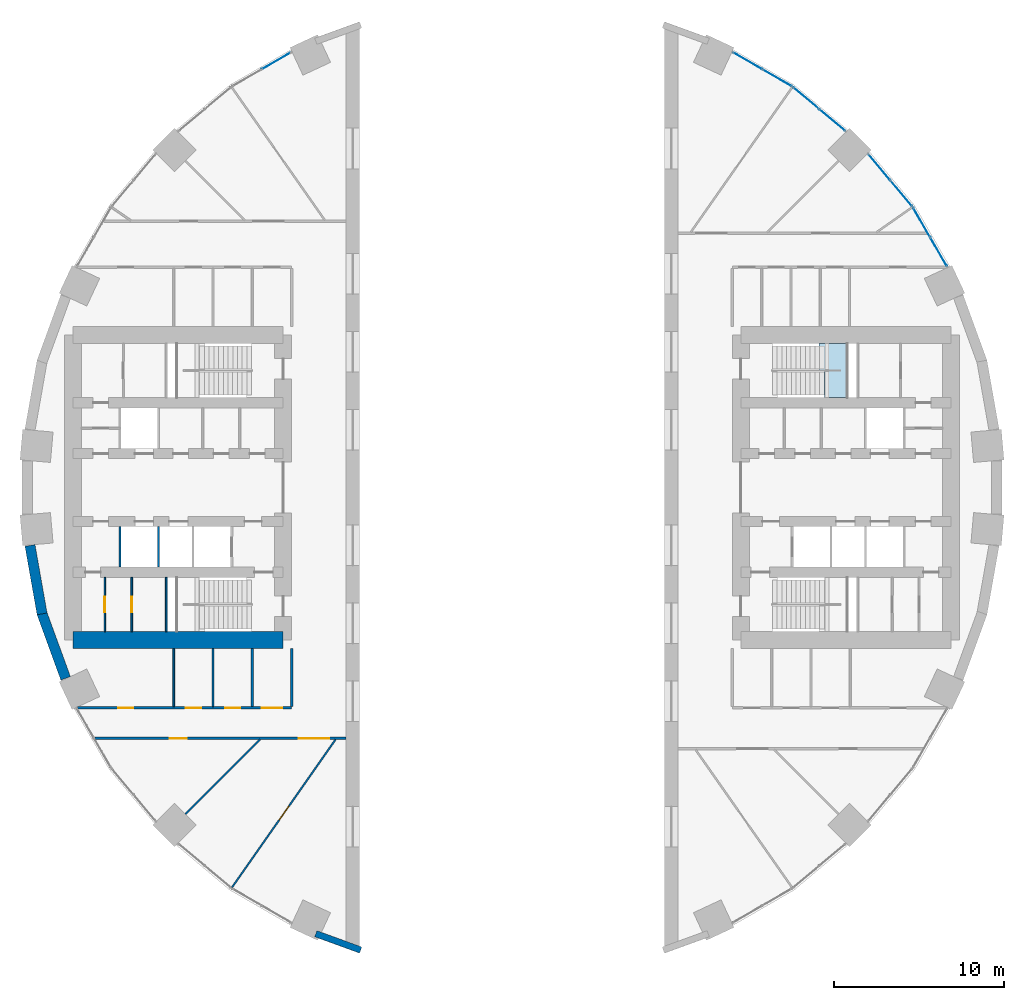
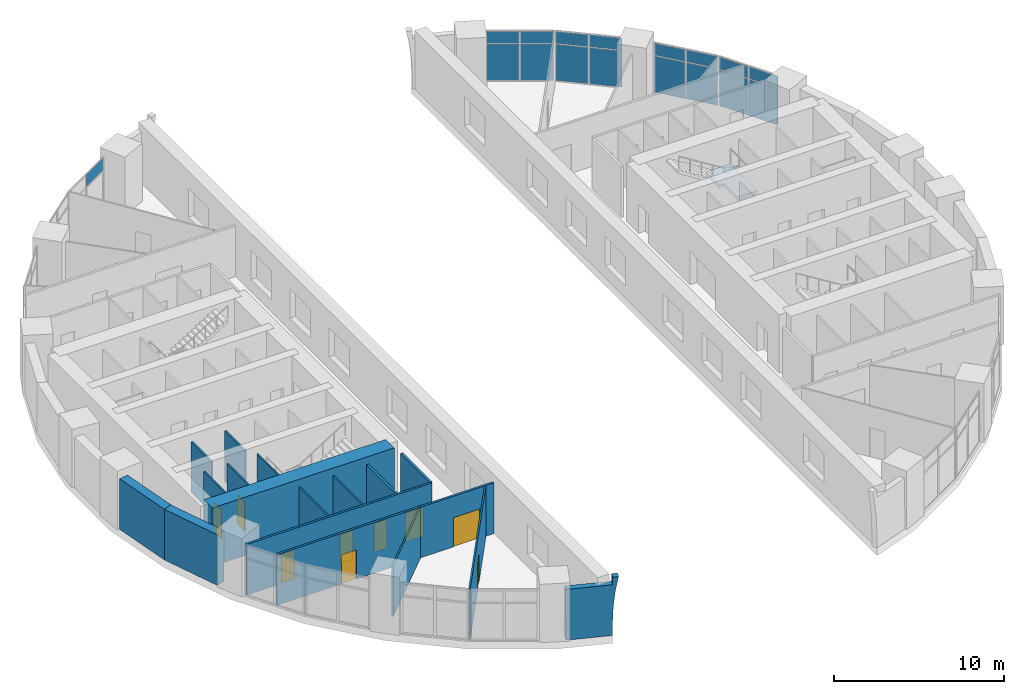
# One storey, part 7 of 13: 17 plates, 17 walls, 9 doors, 1 slab, 9 openings, 6 elements without a shape of their own.
"""IFC4 building model written with IfcOpenShell, lengths in metres."""

from ifc_helpers import new_model, si_unit, direction, frame, frame_2d, origin, origin_2d, place, context, subcontext, project, spatial, polyline, rectangle, outline, extrude, material, layer, layer_set, type_object, element, fill, aggregate, save


model = new_model("IFC4")

# Units and contexts
model_context = context("Model", 3, precision=1e-05, world=origin(), true_north=direction((0.0, 1.0)))
body_context = subcontext(model_context, "Body", "Model", "MODEL_VIEW")
ifc_project = project(units=[si_unit("LENGTHUNIT", "METRE"), si_unit("AREAUNIT", "SQUARE_METRE"), si_unit("VOLUMEUNIT", "CUBIC_METRE"), si_unit("PLANEANGLEUNIT", "RADIAN"), si_unit("MASSUNIT", "GRAM", prefix="KILO")], contexts=[model_context])

# Site, building, storey
site_placement = place(None, origin())
site = spatial("IfcSite", under=ifc_project, at=site_placement, CompositionType="ELEMENT")
building_placement = place(site_placement, origin())
building = spatial("IfcBuilding", under=site, at=building_placement, Name="Saqina Gate Tower", CompositionType="ELEMENT")
storey_placement = place(building_placement, frame((0.0, 0.0, 5.0)))
storey = spatial("IfcBuildingStorey", under=building, at=storey_placement, Name="L01", CompositionType="ELEMENT", Elevation=5.0)

# Curtain wall, plates
ifc_material_1 = material(Name="Aluminium glazing", Category="aluminium")
ifc_layer_1 = layer(ifc_material_1, 0.159912109375)
ifc_layer_set_1 = layer_set([ifc_layer_1], Name="CWT-1")
curtain_wall_type = type_object("IfcCurtainWallType", Name="CWT-1", PredefinedType="NOTDEFINED", material=ifc_layer_set_1)
curtain_wall_1_placement = place(storey_placement, origin())
curtain_wall_1 = element("IfcCurtainWall", 1, at=curtain_wall_1_placement, inside=storey, type_object=curtain_wall_type, Name="Podium shopfront facet 3", PredefinedType="NOTDEFINED")
ifc_material_2 = material(Name="Glass", Category="glass")
ifc_layer_2 = layer(ifc_material_2, 0.028076171875)
ifc_layer_set_2 = layer_set([ifc_layer_2], Name="CWT-1P")
plate_type = type_object("IfcPlateType", Name="CWT-1P", PredefinedType="CURTAIN_PANEL", material=ifc_layer_set_2)
plate_1_placement = place(storey_placement, frame((25.158935546875, 13.90283203125, 0.06005859375), z_axis=(0.0, 0.0, 1.0), x_axis=(-0.500013894893, 0.866017381415, 0.0)))
plate_1 = element("IfcPlate", 2, at=plate_1_placement, type_object=plate_type, Name="CW1-03 panel 1.1", PredefinedType="CURTAIN_PANEL", context=body_context, shape_type="SweptSolid", body=[
    extrude(rectangle(XDim=1.944580078125, YDim=0.028076171875, at=origin_2d()), origin(), (0.0, 0.0, 1.0), 2.610107421875),
])
plate_2_placement = place(storey_placement, frame((25.158935546875, 13.90283203125, 2.72998046875), z_axis=(0.0, 0.0, 1.0), x_axis=(-0.500013894893, 0.866017381415, 0.0)))
plate_2 = element("IfcPlate", 3, at=plate_2_placement, type_object=plate_type, Name="CW1-03 panel 1.2", PredefinedType="CURTAIN_PANEL", context=body_context, shape_type="SweptSolid", body=[
    extrude(rectangle(XDim=1.944580078125, YDim=0.028076171875, at=origin_2d()), origin(), (0.0, 0.0, 1.0), 0.860107421875),
])
plate_3_placement = place(storey_placement, frame((24.15673828125, 15.638671875, 0.06005859375), z_axis=(0.0, 0.0, 1.0), x_axis=(-0.500013894893, 0.866017381415, 0.0)))
plate_3 = element("IfcPlate", 4, at=plate_3_placement, type_object=plate_type, Name="CW1-03 panel 2.1", PredefinedType="CURTAIN_PANEL", context=body_context, shape_type="SweptSolid", body=[
    extrude(rectangle(XDim=1.944580078125, YDim=0.028076171875, at=origin_2d()), origin(), (0.0, 0.0, 1.0), 2.610107421875),
])
plate_4_placement = place(storey_placement, frame((24.15673828125, 15.638671875, 2.72998046875), z_axis=(0.0, 0.0, 1.0), x_axis=(-0.500013894893, 0.866017381415, 0.0)))
plate_4 = element("IfcPlate", 5, at=plate_4_placement, type_object=plate_type, Name="CW1-03 panel 2.2", PredefinedType="CURTAIN_PANEL", context=body_context, shape_type="SweptSolid", body=[
    extrude(rectangle(XDim=1.944580078125, YDim=0.028076171875, at=origin_2d()), origin(), (0.0, 0.0, 1.0), 0.860107421875),
])
aggregate(curtain_wall_1, [plate_1, plate_2, plate_3, plate_4])

curtain_wall_2_placement = place(storey_placement, origin())
curtain_wall_2 = element("IfcCurtainWall", 6, at=curtain_wall_2_placement, inside=storey, type_object=curtain_wall_type, Name="Podium shopfront facet 4", PredefinedType="NOTDEFINED")
plate_5_placement = place(storey_placement, frame((22.957763671875, 17.35107421875, 0.06005859375), z_axis=(0.0, 0.0, 1.0), x_axis=(-0.642779322911, 0.766051396473, 0.0)))
plate_5 = element("IfcPlate", 7, at=plate_5_placement, type_object=plate_type, Name="CW1-04 panel 1.1", PredefinedType="CURTAIN_PANEL", context=body_context, shape_type="SweptSolid", body=[
    extrude(rectangle(XDim=1.944580078125, YDim=0.028076171875, at=origin_2d()), origin(), (0.0, 0.0, 1.0), 2.610107421875),
])
plate_6_placement = place(storey_placement, frame((22.957763671875, 17.35107421875, 2.72998046875), z_axis=(0.0, 0.0, 1.0), x_axis=(-0.642779322911, 0.766051396473, 0.0)))
plate_6 = element("IfcPlate", 8, at=plate_6_placement, type_object=plate_type, Name="CW1-04 panel 1.2", PredefinedType="CURTAIN_PANEL", context=body_context, shape_type="SweptSolid", body=[
    extrude(rectangle(XDim=1.944580078125, YDim=0.028076171875, at=origin_2d()), origin(), (0.0, 0.0, 1.0), 0.860107421875),
])
plate_7_placement = place(storey_placement, frame((21.669189453125, 18.88671875, 0.06005859375), z_axis=(0.0, 0.0, 1.0), x_axis=(-0.642779322911, 0.766051396473, 0.0)))
plate_7 = element("IfcPlate", 9, at=plate_7_placement, type_object=plate_type, Name="CW1-04 panel 2.1", PredefinedType="CURTAIN_PANEL", context=body_context, shape_type="SweptSolid", body=[
    extrude(rectangle(XDim=1.944580078125, YDim=0.028076171875, at=origin_2d()), origin(), (0.0, 0.0, 1.0), 2.610107421875),
])
plate_8_placement = place(storey_placement, frame((21.669189453125, 18.88671875, 2.72998046875), z_axis=(0.0, 0.0, 1.0), x_axis=(-0.642779322911, 0.766051396473, 0.0)))
plate_8 = element("IfcPlate", 10, at=plate_8_placement, type_object=plate_type, Name="CW1-04 panel 2.2", PredefinedType="CURTAIN_PANEL", context=body_context, shape_type="SweptSolid", body=[
    extrude(rectangle(XDim=1.944580078125, YDim=0.028076171875, at=origin_2d()), origin(), (0.0, 0.0, 1.0), 0.860107421875),
])
aggregate(curtain_wall_2, [plate_5, plate_6, plate_7, plate_8])

curtain_wall_3_placement = place(storey_placement, origin())
curtain_wall_3 = element("IfcCurtainWall", 11, at=curtain_wall_3_placement, inside=storey, type_object=curtain_wall_type, Name="Podium shopfront facet 5", PredefinedType="NOTDEFINED")
plate_9_placement = place(storey_placement, frame((18.88671875, 21.669189453125, 0.06005859375), z_axis=(0.0, 0.0, 1.0), x_axis=(-0.766051396473, 0.642779322911, 0.0)))
plate_9 = element("IfcPlate", 12, at=plate_9_placement, type_object=plate_type, Name="CW1-05 panel 1.1", PredefinedType="CURTAIN_PANEL", context=body_context, shape_type="SweptSolid", body=[
    extrude(rectangle(XDim=1.944580078125, YDim=0.028076171875, at=origin_2d()), origin(), (0.0, 0.0, 1.0), 2.610107421875),
])
plate_10_placement = place(storey_placement, frame((18.88671875, 21.669189453125, 2.72998046875), z_axis=(0.0, 0.0, 1.0), x_axis=(-0.766051396473, 0.642779322911, 0.0)))
plate_10 = element("IfcPlate", 13, at=plate_10_placement, type_object=plate_type, Name="CW1-05 panel 1.2", PredefinedType="CURTAIN_PANEL", context=body_context, shape_type="SweptSolid", body=[
    extrude(rectangle(XDim=1.944580078125, YDim=0.028076171875, at=origin_2d()), origin(), (0.0, 0.0, 1.0), 0.860107421875),
])
plate_11_placement = place(storey_placement, frame((17.35107421875, 22.957763671875, 0.06005859375), z_axis=(0.0, 0.0, 1.0), x_axis=(-0.766051396473, 0.642779322911, 0.0)))
plate_11 = element("IfcPlate", 14, at=plate_11_placement, type_object=plate_type, Name="CW1-05 panel 2.1", PredefinedType="CURTAIN_PANEL", context=body_context, shape_type="SweptSolid", body=[
    extrude(rectangle(XDim=1.944580078125, YDim=0.028076171875, at=origin_2d()), origin(), (0.0, 0.0, 1.0), 2.610107421875),
])
plate_12_placement = place(storey_placement, frame((17.35107421875, 22.957763671875, 2.72998046875), z_axis=(0.0, 0.0, 1.0), x_axis=(-0.766051396473, 0.642779322911, 0.0)))
plate_12 = element("IfcPlate", 15, at=plate_12_placement, type_object=plate_type, Name="CW1-05 panel 2.2", PredefinedType="CURTAIN_PANEL", context=body_context, shape_type="SweptSolid", body=[
    extrude(rectangle(XDim=1.944580078125, YDim=0.028076171875, at=origin_2d()), origin(), (0.0, 0.0, 1.0), 0.860107421875),
])
aggregate(curtain_wall_3, [plate_9, plate_10, plate_11, plate_12])

curtain_wall_4_placement = place(storey_placement, origin())
curtain_wall_4 = element("IfcCurtainWall", 16, at=curtain_wall_4_placement, inside=storey, type_object=curtain_wall_type, Name="Podium shopfront facet 6", PredefinedType="NOTDEFINED")
plate_13_placement = place(storey_placement, frame((15.638671875, 24.15673828125, 0.06005859375), z_axis=(0.0, 0.0, 1.0), x_axis=(-0.866017381415, 0.500013894893, 0.0)))
plate_13 = element("IfcPlate", 17, at=plate_13_placement, type_object=plate_type, Name="CW1-06 panel 1.1", PredefinedType="CURTAIN_PANEL", context=body_context, shape_type="SweptSolid", body=[
    extrude(rectangle(XDim=1.944580078125, YDim=0.028076171875, at=origin_2d()), origin(), (0.0, 0.0, 1.0), 2.610107421875),
])
plate_14_placement = place(storey_placement, frame((15.638671875, 24.15673828125, 2.72998046875), z_axis=(0.0, 0.0, 1.0), x_axis=(-0.866017381415, 0.500013894893, 0.0)))
plate_14 = element("IfcPlate", 18, at=plate_14_placement, type_object=plate_type, Name="CW1-06 panel 1.2", PredefinedType="CURTAIN_PANEL", context=body_context, shape_type="SweptSolid", body=[
    extrude(rectangle(XDim=1.944580078125, YDim=0.028076171875, at=origin_2d()), origin(), (0.0, 0.0, 1.0), 0.860107421875),
])
plate_15_placement = place(storey_placement, frame((13.90283203125, 25.158935546875, 0.06005859375), z_axis=(0.0, 0.0, 1.0), x_axis=(-0.866017381415, 0.500013894893, 0.0)))
plate_15 = element("IfcPlate", 19, at=plate_15_placement, type_object=plate_type, Name="CW1-06 panel 2.1", PredefinedType="CURTAIN_PANEL", context=body_context, shape_type="SweptSolid", body=[
    extrude(rectangle(XDim=1.944580078125, YDim=0.028076171875, at=origin_2d()), origin(), (0.0, 0.0, 1.0), 2.610107421875),
])
plate_16_placement = place(storey_placement, frame((13.90283203125, 25.158935546875, 2.72998046875), z_axis=(0.0, 0.0, 1.0), x_axis=(-0.866017381415, 0.500013894893, 0.0)))
plate_16 = element("IfcPlate", 20, at=plate_16_placement, type_object=plate_type, Name="CW1-06 panel 2.2", PredefinedType="CURTAIN_PANEL", context=body_context, shape_type="SweptSolid", body=[
    extrude(rectangle(XDim=1.944580078125, YDim=0.028076171875, at=origin_2d()), origin(), (0.0, 0.0, 1.0), 0.860107421875),
])
aggregate(curtain_wall_4, [plate_13, plate_14, plate_15, plate_16])

# Curtain wall, plate
curtain_wall_5_placement = place(storey_placement, origin())
curtain_wall_5 = element("IfcCurtainWall", 21, at=curtain_wall_5_placement, inside=storey, type_object=curtain_wall_type, Name="Podium shopfront facet 12", PredefinedType="NOTDEFINED")
plate_17_placement = place(storey_placement, frame((-13.90283203125, 25.158935546875, 2.72998046875), z_axis=(0.0, 0.0, 1.0), x_axis=(-0.866017381415, -0.500013894893, 0.0)))
plate_17 = element("IfcPlate", 22, at=plate_17_placement, type_object=plate_type, Name="CW1-12 panel 1.2", PredefinedType="CURTAIN_PANEL", context=body_context, shape_type="SweptSolid", body=[
    extrude(rectangle(XDim=1.944580078125, YDim=0.028076171875, at=origin_2d()), origin(), (0.0, 0.0, 1.0), 0.860107421875),
])
aggregate(curtain_wall_5, [plate_17])

# Stair, slab
ifc_material_3 = material(Name="Concrete C40/50", Category="concrete")
stair_type = type_object("IfcStairType", Name="EXIT STAIR", PredefinedType="HALF_TURN_STAIR", material=ifc_material_3)
stair_placement = place(storey_placement, origin())
stair = element("IfcStair", 23, at=stair_placement, inside=storey, type_object=stair_type, Name="EXIT STAIR 1", PredefinedType="HALF_TURN_STAIR")
ifc_material_4 = material(Name="Concrete C40/50", Category="concrete")
ifc_layer_3 = layer(ifc_material_4, 0.25)
ifc_layer_set_3 = layer_set([ifc_layer_3], Name="Concrete C40/50")
slab_type = type_object("IfcSlabType", Name="EXIT STAIR LANDING", PredefinedType="LANDING", material=ifc_layer_set_3)
slab_placement = place(storey_placement, frame((0.0, 0.0, 1.85009765625)))
slab = element("IfcSlab", 24, at=slab_placement, type_object=slab_type, Name="EXIT STAIR 1 LANDING 1", PredefinedType="LANDING", context=body_context, shape_type="SweptSolid", body=[
    extrude(outline(polyline([(19.780029296875, 8.5), (19.780029296875, 5.300048828125), (18.425048828125, 5.300048828125), (18.425048828125, 6.89990234375), (18.10693359375, 6.89990234375), (18.10693359375, 8.5), (18.425048828125, 8.5), (18.429931640625, 8.5), (19.780029296875, 8.5)])), origin(), (0.0, 0.0, 1.0), 0.25),
])
aggregate(stair, [slab])

# Wall, opening, door
ifc_material_5 = material(Name="Gypsum board on steel studs", Category="steel")
ifc_layer_4 = layer(ifc_material_5, 0.10009765625)
ifc_layer_set_4 = layer_set([ifc_layer_4], Name="CORE PARTITION")
wall_type_1 = type_object("IfcWallType", Name="CORE PARTITION", PredefinedType="PARTITIONING", material=ifc_layer_set_4)
wall_1_placement = place(storey_placement, frame((-22.424072265625, -8.5, 0.0), z_axis=(0.0, 0.0, 1.0), x_axis=(0.0, 1.0, 0.0)))
wall_1 = element("IfcWall", 25, at=wall_1_placement, inside=storey, type_object=wall_type_1, Name="L01-CP-W13", PredefinedType="PARTITIONING", context=body_context, shape_type="SweptSolid", body=[
    extrude(rectangle(XDim=3.199951171875, YDim=0.10009765625, at=frame_2d((1.60009765625, 0.0))), origin(), (0.0, 0.0, 1.0), 3.64990234375),
])
opening_1_placement = place(wall_1_placement, frame((1.14990234375, 0.0, 0.0)))
opening_1 = element("IfcOpeningElement", 26, at=opening_1_placement, cuts=wall_1, Name="Opening L01-D116", PredefinedType="OPENING", context=body_context, shape_type="SweptSolid", body=[
    extrude(rectangle(XDim=0.89990234375, YDim=2.10009765625, at=frame_2d((0.449951171875, 1.050048828125))), frame((0.0, 0.06201171875, 0.0), z_axis=(0.0, -1.0, 0.0), x_axis=(1.0, 0.0, 0.0)), (0.0, 0.0, 1.0), 0.1240234375),
])
ifc_material_6 = material(Name="Steel-framed fire door leaf, EI 60", Category="steel")
door_type_1 = type_object("IfcDoorType", Name="SERVICE ROOM DOOR 900", OperationType="SINGLE_SWING_LEFT", PredefinedType="DOOR", material=ifc_material_6)
door_1_placement = place(opening_1_placement, frame((0.89990234375, 0.0, 0.0), z_axis=(0.0, 0.0, 1.0), x_axis=(-1.0, 0.0, 0.0)))
door_1 = element("IfcDoor", 27, at=door_1_placement, inside=storey, type_object=door_type_1, Name="L01-CD-W27", OperationType="SINGLE_SWING_RIGHT", OverallHeight=2.10009765625, OverallWidth=0.89990234375, PredefinedType="DOOR", context=body_context, shape_type="SweptSolid", body=[
    extrude(rectangle(XDim=0.89990234375, YDim=2.10009765625, at=frame_2d((0.449951171875, 1.050048828125))), frame((0.0, 0.02490234375, 0.0), z_axis=(0.0, -1.0, 0.0), x_axis=(1.0, 0.0, 0.0)), (0.0, 0.0, 1.0), 0.050048828125),
])
fill(opening_1, door_1)

wall_2_placement = place(storey_placement, frame((-24.01123046875, -8.5, 0.0), z_axis=(0.0, 0.0, 1.0), x_axis=(0.0, 1.0, 0.0)))
wall_2 = element("IfcWall", 28, at=wall_2_placement, inside=storey, type_object=wall_type_1, Name="L01-CP-W14", PredefinedType="PARTITIONING", context=body_context, shape_type="SweptSolid", body=[
    extrude(rectangle(XDim=3.199951171875, YDim=0.10009765625, at=frame_2d((1.60009765625, 0.0))), origin(), (0.0, 0.0, 1.0), 3.64990234375),
])
opening_2_placement = place(wall_2_placement, frame((1.14990234375, 0.0, 0.0)))
opening_2 = element("IfcOpeningElement", 29, at=opening_2_placement, cuts=wall_2, Name="Opening L01-D115", PredefinedType="OPENING", context=body_context, shape_type="SweptSolid", body=[
    extrude(rectangle(XDim=0.89990234375, YDim=2.10009765625, at=frame_2d((0.449951171875, 1.050048828125))), frame((0.0, 0.06201171875, 0.0), z_axis=(0.0, -1.0, 0.0), x_axis=(1.0, 0.0, 0.0)), (0.0, 0.0, 1.0), 0.1240234375),
])
door_2_placement = place(opening_2_placement, frame((0.89990234375, 0.0, 0.0), z_axis=(0.0, 0.0, 1.0), x_axis=(-1.0, 0.0, 0.0)))
door_2 = element("IfcDoor", 30, at=door_2_placement, inside=storey, type_object=door_type_1, Name="L01-CD-W26", OperationType="SINGLE_SWING_RIGHT", OverallHeight=2.10009765625, OverallWidth=0.89990234375, PredefinedType="DOOR", context=body_context, shape_type="SweptSolid", body=[
    extrude(rectangle(XDim=0.89990234375, YDim=2.10009765625, at=frame_2d((0.449951171875, 1.050048828125))), frame((0.0, 0.02490234375, 0.0), z_axis=(0.0, -1.0, 0.0), x_axis=(1.0, 0.0, 0.0)), (0.0, 0.0, 1.0), 0.050048828125),
])
fill(opening_2, door_2)

# Walls
ifc_material_7 = material(Name="Glazed ceramic tile", Category="ceramic")
ifc_layer_5 = layer(ifc_material_7, 0.3798828125)
ifc_layer_set_5 = layer_set([ifc_layer_5], Name="FW-ARCH")
wall_type_2 = type_object("IfcWallType", Name="FW-ARCH", PredefinedType="SOLIDWALL", material=ifc_layer_set_5)
wall_3_placement = place(storey_placement, frame((-11.63720703125, -26.49755859375, 0.0), z_axis=(-0.342010332624, -0.939694078188, 0.001992936543), x_axis=(0.000670333127, 0.001876857341, 0.999998014028)))
element("IfcWall", 31, at=wall_3_placement, inside=storey, type_object=wall_type_2, Name="Arch frame wall L01 facet 25", PredefinedType="SOLIDWALL", context=body_context, shape_type="SweptSolid", body=[
    extrude(outline(polyline([(0.0, 0.0), (3.6499095617812474, -2.507217523872729e-19), (3.6498761175937697, -2.8100358094732503), (4.199926013516814, -2.8101672489599907), (4.199921767770513, -3.1707662556981404), (3.190644361514802, -2.9769599197016303), (2.098114383691035, -2.851734808217352), (0.9999682683270763, -2.810151568441391), (-3.344418747762033e-05, -2.8100358094732503), (0.0, 0.0)])), origin(), (0.0, 0.0, -1.0), 0.3798828125),
])
ifc_material_8 = material(Name="Glazed ceramic tile", Category="ceramic")
ifc_layer_6 = layer(ifc_material_8, 0.60009765625)
ifc_layer_set_6 = layer_set([ifc_layer_6], Name="FW-TILE")
wall_type_3 = type_object("IfcWallType", Name="FW-TILE", PredefinedType="SOLIDWALL", material=ifc_layer_set_6)
wall_4_placement = place(storey_placement, frame((-27.72998046875, -7.403076171875, 0.0), z_axis=(0.0, 0.0, 1.0), x_axis=(0.342034744565, -0.939687306241, 0.0)))
element("IfcWall", 32, at=wall_4_placement, inside=storey, type_object=wall_type_3, Name="Facade wall L01 facet 20", PredefinedType="SOLIDWALL", context=body_context, shape_type="SweptSolid", body=[
    extrude(rectangle(XDim=4.099365234375, YDim=0.60009765625, at=frame_2d((2.0498046875, 0.0))), origin(), (0.0, 0.0, 1.0), 3.64990234375),
])
ifc_material_9 = material(Name="Glazed ceramic tile (white)", Category="ceramic")
ifc_layer_7 = layer(ifc_material_9, 0.60009765625)
ifc_layer_set_7 = layer_set([ifc_layer_7], Name="FW-TILE-WH")
wall_type_4 = type_object("IfcWallType", Name="FW-TILE-WH", PredefinedType="SOLIDWALL", material=ifc_layer_set_7)
wall_5_placement = place(storey_placement, frame((-28.42822265625, -3.416748046875, 0.0), z_axis=(0.0, 0.0, 1.0), x_axis=(0.173673210505, -0.984803338719, 0.0)))
element("IfcWall", 33, at=wall_5_placement, inside=storey, type_object=wall_type_4, Name="Facade wall L01 facet 19", PredefinedType="SOLIDWALL", context=body_context, shape_type="SweptSolid", body=[
    extrude(rectangle(XDim=4.09912109375, YDim=0.60009765625, at=frame_2d((2.049560546875, 0.0))), origin(), (0.0, 0.0, 1.0), 3.64990234375),
])
ifc_material_10 = material(Name="Autoclaved aerated concrete block", Category="concrete")
ifc_layer_8 = layer(ifc_material_10, 0.1201171875)
ifc_layer_set_8 = layer_set([ifc_layer_8], Name="SHAFT PARTITION")
wall_type_5 = type_object("IfcWallType", Name="SHAFT PARTITION", PredefinedType="PARTITIONING", material=ifc_layer_set_8)
for number, where, z_axis, x_axis, name in (
    (34, (-20.840087890625, -4.699951171875, 0.0), (0.0, 0.0, 1.0), (0.0, 1.0, 0.0), "L01-CP-W07"),
    (35, (-23.1201171875, -4.699951171875, 0.0), (0.0, 0.0, 1.0), (0.0, 1.0, 0.0), "L01-CP-W08"),
):
    element("IfcWall", number, at=place(storey_placement, frame(where, z_axis=z_axis, x_axis=x_axis)), inside=storey, type_object=wall_type_5, Name=name, PredefinedType="PARTITIONING", context=body_context, shape_type="SweptSolid", body=[
        extrude(rectangle(XDim=2.39990234375, YDim=0.1201171875, at=frame_2d((1.199951171875, 0.0))), origin(), (0.0, 0.0, 1.0), 3.64990234375),
    ])
ifc_material_11 = material(Name="Gypsum board on steel studs, 100 mm", Category="steel")
ifc_layer_9 = layer(ifc_material_11, 0.10009765625)
ifc_layer_set_9 = layer_set([ifc_layer_9], Name="SPECIAL PARTITION 100")
wall_type_6 = type_object("IfcWallType", Name="SPECIAL PARTITION 100", PredefinedType="PARTITIONING", material=ifc_layer_set_9)
wall_6_placement = place(storey_placement, frame((-19.26171875, -19.26171875, 0.0), z_axis=(0.0, 0.0, 1.0), x_axis=(0.707106781187, 0.707106781187, 0.0)))
element("IfcWall", 36, at=wall_6_placement, inside=storey, type_object=wall_type_6, Name="PARTITION 015", PredefinedType="PARTITIONING", context=body_context, shape_type="SweptSolid", body=[
    extrude(rectangle(XDim=6.23486328125, YDim=0.10009765625, at=frame_2d((3.117431640625, 0.0))), origin(), (0.0, 0.0, 1.0), 3.64990234375),
])

# Wall, opening, door
wall_7_placement = place(storey_placement, frame((-16.51904296875, -23.591064453125, 0.0), z_axis=(0.0, 0.0, 1.0), x_axis=(0.573602246075, 0.81913397152, 0.0)))
wall_7 = element("IfcWall", 37, at=wall_7_placement, inside=storey, type_object=wall_type_6, Name="PARTITION 017", PredefinedType="PARTITIONING", context=body_context, shape_type="SweptSolid", body=[
    extrude(rectangle(XDim=10.6572265625, YDim=0.10009765625, at=frame_2d((5.32861328125, 0.0))), origin(), (0.0, 0.0, 1.0), 3.64990234375),
])
opening_3_placement = place(wall_7_placement, frame((4.8662109375, 0.0, 0.0)))
opening_3 = element("IfcOpeningElement", 38, at=opening_3_placement, cuts=wall_7, Name="Opening L01-D22", PredefinedType="OPENING", context=body_context, shape_type="SweptSolid", body=[
    extrude(rectangle(XDim=1.0, YDim=2.10009765625, at=frame_2d((0.5, 1.050048828125))), frame((0.0, 0.06201171875, 0.0), z_axis=(0.0, -1.0, 0.0), x_axis=(1.0, 0.0, 0.0)), (0.0, 0.0, 1.0), 0.1240234375),
])
ifc_material_12 = material(Name="Timber door leaf", Category="wood")
door_type_2 = type_object("IfcDoorType", Name="SPECIAL DOOR 1000 TIMBER", OperationType="SINGLE_SWING_LEFT", PredefinedType="DOOR", material=ifc_material_12)
door_3_placement = place(opening_3_placement, frame((1.0, 0.0, 0.0), z_axis=(0.0, 0.0, 1.0), x_axis=(-1.0, 0.0, 0.0)))
door_3 = element("IfcDoor", 39, at=door_3_placement, inside=storey, type_object=door_type_2, Name="DOOR L01-D22", OperationType="SINGLE_SWING_LEFT", OverallHeight=2.10009765625, OverallWidth=1.0, PredefinedType="DOOR", context=body_context, shape_type="SweptSolid", body=[
    extrude(rectangle(XDim=1.0, YDim=2.10009765625, at=frame_2d((0.5, 1.050048828125))), frame((0.0, 0.02490234375, 0.0), z_axis=(0.0, -1.0, 0.0), x_axis=(1.0, 0.0, 0.0)), (0.0, 0.0, 1.0), 0.050048828125),
])
fill(opening_3, door_3)

# Walls
for number, where, z_axis, x_axis, name in (
    (40, (-17.633056640625, -12.925048828125, 0.0), (0.0, 0.0, 1.0), (0.0, 1.0, 0.0), "PARTITION 032"),
    (41, (-19.949951171875, -12.925048828125, 0.0), (0.0, 0.0, 1.0), (0.0, 1.0, 0.0), "PARTITION 034"),
):
    element("IfcWall", number, at=place(storey_placement, frame(where, z_axis=z_axis, x_axis=x_axis)), inside=storey, type_object=wall_type_6, Name=name, PredefinedType="PARTITIONING", context=body_context, shape_type="SweptSolid", body=[
        extrude(rectangle(XDim=3.425048828125, YDim=0.10009765625, at=frame_2d((1.71240234375, 0.0))), origin(), (0.0, 0.0, 1.0), 3.64990234375),
    ])

# Wall, openings, doors
ifc_material_13 = material(Name="Gypsum board on steel studs, 150 mm, fire rated", Category="steel")
ifc_layer_10 = layer(ifc_material_13, 0.14990234375)
ifc_layer_set_10 = layer_set([ifc_layer_10], Name="SPECIAL PARTITION EI 30 150")
wall_type_7 = type_object("IfcWallType", Name="SPECIAL PARTITION EI 30 150", PredefinedType="PARTITIONING", material=ifc_layer_set_10)
wall_8_placement = place(storey_placement, frame((-24.5830078125, -14.800048828125, 0.0), z_axis=(0.0, 0.0, 1.0), x_axis=(1.0, 0.0, 0.0)))
wall_8 = element("IfcWall", 42, at=wall_8_placement, inside=storey, type_object=wall_type_7, Name="PARTITION 007", PredefinedType="PARTITIONING", context=body_context, shape_type="SweptSolid", body=[
    extrude(rectangle(XDim=14.782958984375, YDim=0.14990234375, at=frame_2d((7.3916015625, 0.0))), origin(), (0.0, 0.0, 1.0), 3.64990234375),
])
opening_4_placement = place(wall_8_placement, frame((4.390380859375, 0.0, 0.0)))
opening_4 = element("IfcOpeningElement", 43, at=opening_4_placement, cuts=wall_8, Name="Opening L01-D18", PredefinedType="OPENING", context=body_context, shape_type="SweptSolid", body=[
    extrude(rectangle(XDim=1.0, YDim=2.10009765625, at=frame_2d((0.5, 1.050048828125))), frame((0.0, 0.0869140625, 0.0), z_axis=(0.0, -1.0, 0.0), x_axis=(1.0, 0.0, 0.0)), (0.0, 0.0, 1.0), 0.173828125),
])
opening_5_placement = place(wall_8_placement, frame((11.99951171875, 0.0, 0.0)))
opening_5 = element("IfcOpeningElement", 44, at=opening_5_placement, cuts=wall_8, Name="Opening L01-D21", PredefinedType="OPENING", context=body_context, shape_type="SweptSolid", body=[
    extrude(rectangle(XDim=1.800048828125, YDim=2.10009765625, at=frame_2d((0.89990234375, 1.050048828125))), frame((0.0, 0.0869140625, 0.0), z_axis=(0.0, -1.0, 0.0), x_axis=(1.0, 0.0, 0.0)), (0.0, 0.0, 1.0), 0.173828125),
])
ifc_material_14 = material(Name="Steel-framed fire door leaf, EI 30", Category="steel")
door_type_3 = type_object("IfcDoorType", Name="SPECIAL DOOR 1000 FIRE EI 30", OperationType="SINGLE_SWING_LEFT", PredefinedType="DOOR", material=ifc_material_14)
door_4_placement = place(opening_4_placement, frame((1.0, 0.0, 0.0), z_axis=(0.0, 0.0, 1.0), x_axis=(-1.0, 0.0, 0.0)))
door_4 = element("IfcDoor", 45, at=door_4_placement, inside=storey, type_object=door_type_3, Name="DOOR L01-D18", OperationType="SINGLE_SWING_RIGHT", OverallHeight=2.10009765625, OverallWidth=1.0, PredefinedType="DOOR", context=body_context, shape_type="SweptSolid", body=[
    extrude(rectangle(XDim=1.0, YDim=2.10009765625, at=frame_2d((0.5, 1.050048828125))), frame((0.0, 0.02490234375, 0.0), z_axis=(0.0, -1.0, 0.0), x_axis=(1.0, 0.0, 0.0)), (0.0, 0.0, 1.0), 0.050048828125),
])
fill(opening_4, door_4)
ifc_material_15 = material(Name="Steel-framed fire door leaf, EI 30", Category="steel")
door_type_4 = type_object("IfcDoorType", Name="SPECIAL DOUBLE DOOR 1800 FIRE EI 30", OperationType="DOUBLE_DOOR_SINGLE_SWING", PredefinedType="DOOR", material=ifc_material_15)
door_5_placement = place(opening_5_placement, origin())
door_5 = element("IfcDoor", 46, at=door_5_placement, inside=storey, type_object=door_type_4, Name="DOOR L01-D21", OperationType="DOUBLE_DOOR_SINGLE_SWING", OverallHeight=2.10009765625, OverallWidth=1.800048828125, PredefinedType="DOOR", context=body_context, shape_type="SweptSolid", body=[
    extrude(rectangle(XDim=1.800048828125, YDim=2.10009765625, at=frame_2d((0.89990234375, 1.050048828125))), frame((0.0, 0.02490234375, 0.0), z_axis=(0.0, -1.0, 0.0), x_axis=(1.0, 0.0, 0.0)), (0.0, 0.0, 1.0), 0.050048828125),
])
fill(opening_5, door_5)

ifc_material_16 = material(Name="Masonry block and plaster, 150 mm, fire rated", Category="masonry")
ifc_layer_11 = layer(ifc_material_16, 0.14990234375)
ifc_layer_set_11 = layer_set([ifc_layer_11], Name="SPECIAL PARTITION EI 60 150")
wall_type_8 = type_object("IfcWallType", Name="SPECIAL PARTITION EI 60 150", PredefinedType="PARTITIONING", material=ifc_layer_set_11)
wall_9_placement = place(storey_placement, frame((-25.6220703125, -13.0, 0.0), z_axis=(0.0, 0.0, 1.0), x_axis=(1.0, 0.0, 0.0)))
wall_9 = element("IfcWall", 47, at=wall_9_placement, inside=storey, type_object=wall_type_8, Name="PARTITION 008", PredefinedType="PARTITIONING", context=body_context, shape_type="SweptSolid", body=[
    extrude(rectangle(XDim=12.6220703125, YDim=0.14990234375, at=frame_2d((6.31103515625, 0.0))), origin(), (0.0, 0.0, 1.0), 3.64990234375),
])
opening_6_placement = place(wall_9_placement, frame((2.385986328125, 0.0, 0.0)))
opening_6 = element("IfcOpeningElement", 48, at=opening_6_placement, cuts=wall_9, Name="Opening L01-D16", PredefinedType="OPENING", context=body_context, shape_type="SweptSolid", body=[
    extrude(rectangle(XDim=0.89990234375, YDim=2.10009765625, at=frame_2d((0.449951171875, 1.050048828125))), frame((0.0, 0.0869140625, 0.0), z_axis=(0.0, -1.0, 0.0), x_axis=(1.0, 0.0, 0.0)), (0.0, 0.0, 1.0), 0.173828125),
])
opening_7_placement = place(wall_9_placement, frame((6.380615234375, 0.0, 0.0)))
opening_7 = element("IfcOpeningElement", 49, at=opening_7_placement, cuts=wall_9, Name="Opening L01-D17", PredefinedType="OPENING", context=body_context, shape_type="SweptSolid", body=[
    extrude(rectangle(XDim=0.89990234375, YDim=2.10009765625, at=frame_2d((0.449951171875, 1.050048828125))), frame((0.0, 0.0869140625, 0.0), z_axis=(0.0, -1.0, 0.0), x_axis=(1.0, 0.0, 0.0)), (0.0, 0.0, 1.0), 0.173828125),
])
opening_8_placement = place(wall_9_placement, frame((8.697021484375, 0.0, 0.0)))
opening_8 = element("IfcOpeningElement", 50, at=opening_8_placement, cuts=wall_9, Name="Opening L01-D19", PredefinedType="OPENING", context=body_context, shape_type="SweptSolid", body=[
    extrude(rectangle(XDim=0.89990234375, YDim=2.10009765625, at=frame_2d((0.449951171875, 1.050048828125))), frame((0.0, 0.0869140625, 0.0), z_axis=(0.0, -1.0, 0.0), x_axis=(1.0, 0.0, 0.0)), (0.0, 0.0, 1.0), 0.173828125),
])
opening_9_placement = place(wall_9_placement, frame((10.863525390625, 0.0, 0.0)))
opening_9 = element("IfcOpeningElement", 51, at=opening_9_placement, cuts=wall_9, Name="Opening L01-D20", PredefinedType="OPENING", context=body_context, shape_type="SweptSolid", body=[
    extrude(rectangle(XDim=1.199951171875, YDim=2.10009765625, at=frame_2d((0.60009765625, 1.050048828125))), frame((0.0, 0.0869140625, 0.0), z_axis=(0.0, -1.0, 0.0), x_axis=(1.0, 0.0, 0.0)), (0.0, 0.0, 1.0), 0.173828125),
])
ifc_material_17 = material(Name="Steel-framed fire door leaf, EI 60", Category="steel")
door_type_5 = type_object("IfcDoorType", Name="SPECIAL DOOR 1200 FIRE EI 60", OperationType="SINGLE_SWING_LEFT", PredefinedType="DOOR", material=ifc_material_17)
door_6_placement = place(opening_9_placement, origin())
door_6 = element("IfcDoor", 52, at=door_6_placement, inside=storey, type_object=door_type_5, Name="DOOR L01-D20", OperationType="SINGLE_SWING_RIGHT", OverallHeight=2.10009765625, OverallWidth=1.199951171875, PredefinedType="DOOR", context=body_context, shape_type="SweptSolid", body=[
    extrude(rectangle(XDim=1.199951171875, YDim=2.10009765625, at=frame_2d((0.60009765625, 1.050048828125))), frame((0.0, 0.02490234375, 0.0), z_axis=(0.0, -1.0, 0.0), x_axis=(1.0, 0.0, 0.0)), (0.0, 0.0, 1.0), 0.050048828125),
])
fill(opening_9, door_6)
ifc_material_18 = material(Name="Steel-framed fire door leaf, EI 60", Category="steel")
door_type_6 = type_object("IfcDoorType", Name="SPECIAL DOOR 900 FIRE EI 60", OperationType="SINGLE_SWING_LEFT", PredefinedType="DOOR", material=ifc_material_18)
door_7_placement = place(opening_6_placement, origin())
door_7 = element("IfcDoor", 53, at=door_7_placement, inside=storey, type_object=door_type_6, Name="DOOR L01-D16", OperationType="SINGLE_SWING_LEFT", OverallHeight=2.10009765625, OverallWidth=0.89990234375, PredefinedType="DOOR", context=body_context, shape_type="SweptSolid", body=[
    extrude(rectangle(XDim=0.89990234375, YDim=2.10009765625, at=frame_2d((0.449951171875, 1.050048828125))), frame((0.0, 0.02490234375, 0.0), z_axis=(0.0, -1.0, 0.0), x_axis=(1.0, 0.0, 0.0)), (0.0, 0.0, 1.0), 0.050048828125),
])
fill(opening_6, door_7)
door_8_placement = place(opening_7_placement, origin())
door_8 = element("IfcDoor", 54, at=door_8_placement, inside=storey, type_object=door_type_6, Name="DOOR L01-D17", OperationType="SINGLE_SWING_RIGHT", OverallHeight=2.10009765625, OverallWidth=0.89990234375, PredefinedType="DOOR", context=body_context, shape_type="SweptSolid", body=[
    extrude(rectangle(XDim=0.89990234375, YDim=2.10009765625, at=frame_2d((0.449951171875, 1.050048828125))), frame((0.0, 0.02490234375, 0.0), z_axis=(0.0, -1.0, 0.0), x_axis=(1.0, 0.0, 0.0)), (0.0, 0.0, 1.0), 0.050048828125),
])
fill(opening_7, door_8)
door_9_placement = place(opening_8_placement, origin())
door_9 = element("IfcDoor", 55, at=door_9_placement, inside=storey, type_object=door_type_6, Name="DOOR L01-D19", OperationType="SINGLE_SWING_RIGHT", OverallHeight=2.10009765625, OverallWidth=0.89990234375, PredefinedType="DOOR", context=body_context, shape_type="SweptSolid", body=[
    extrude(rectangle(XDim=0.89990234375, YDim=2.10009765625, at=frame_2d((0.449951171875, 1.050048828125))), frame((0.0, 0.02490234375, 0.0), z_axis=(0.0, -1.0, 0.0), x_axis=(1.0, 0.0, 0.0)), (0.0, 0.0, 1.0), 0.050048828125),
])
fill(opening_8, door_9)

# Walls
for number, where, z_axis, x_axis, name in (
    (56, (-13.0, -12.925048828125, 0.0), (0.0, 0.0, 1.0), (0.0, 1.0, 0.0), "PARTITION 028"),
    (57, (-15.31689453125, -12.925048828125, 0.0), (0.0, 0.0, 1.0), (0.0, 1.0, 0.0), "PARTITION 031"),
):
    element("IfcWall", number, at=place(storey_placement, frame(where, z_axis=z_axis, x_axis=x_axis)), inside=storey, type_object=wall_type_8, Name=name, PredefinedType="PARTITIONING", context=body_context, shape_type="SweptSolid", body=[
        extrude(rectangle(XDim=3.425048828125, YDim=0.14990234375, at=frame_2d((1.71240234375, 0.0))), origin(), (0.0, 0.0, 1.0), 3.64990234375),
    ])
ifc_material_19 = material(Name="Autoclaved aerated concrete block", Category="concrete")
ifc_layer_12 = layer(ifc_material_19, 0.10009765625)
ifc_layer_set_12 = layer_set([ifc_layer_12], Name="STAIR ENCLOSURE WALL")
wall_type_9 = type_object("IfcWallType", Name="STAIR ENCLOSURE WALL", PredefinedType="PARTITIONING", material=ifc_layer_set_12)
wall_10_placement = place(storey_placement, frame((-20.389892578125, -8.5, 0.0), z_axis=(0.0, 0.0, 1.0), x_axis=(0.0, 1.0, 0.0)))
element("IfcWall", 58, at=wall_10_placement, inside=storey, type_object=wall_type_9, Name="L01-CP-W12", PredefinedType="PARTITIONING", context=body_context, shape_type="SweptSolid", body=[
    extrude(rectangle(XDim=3.199951171875, YDim=0.10009765625, at=frame_2d((1.60009765625, 0.0))), origin(), (0.0, 0.0, 1.0), 3.64990234375),
])
ifc_material_20 = material(Name="Concrete C70/85", Category="concrete")
ifc_layer_13 = layer(ifc_material_20, 1.0)
ifc_layer_set_13 = layer_set([ifc_layer_13], Name="Concrete C70/85")
wall_type_10 = type_object("IfcWallType", Name="STR-CORE WALL-P-O", PredefinedType="SHEAR", material=ifc_layer_set_13)
wall_11_placement = place(storey_placement, frame((-13.5, -9.0, 0.0), z_axis=(0.0, 0.0, 1.0), x_axis=(-1.0, 0.0, 0.0)))
element("IfcWall", 59, at=wall_11_placement, inside=storey, type_object=wall_type_10, Name="CORE WALL L01 W-SE", PredefinedType="SHEAR", context=body_context, shape_type="SweptSolid", body=[
    extrude(rectangle(XDim=12.39990234375, YDim=1.0, at=frame_2d((6.199951171875, 0.0))), origin(), (0.0, 0.0, 1.0), 4.199951171875),
])

save(model, "model.ifc")
